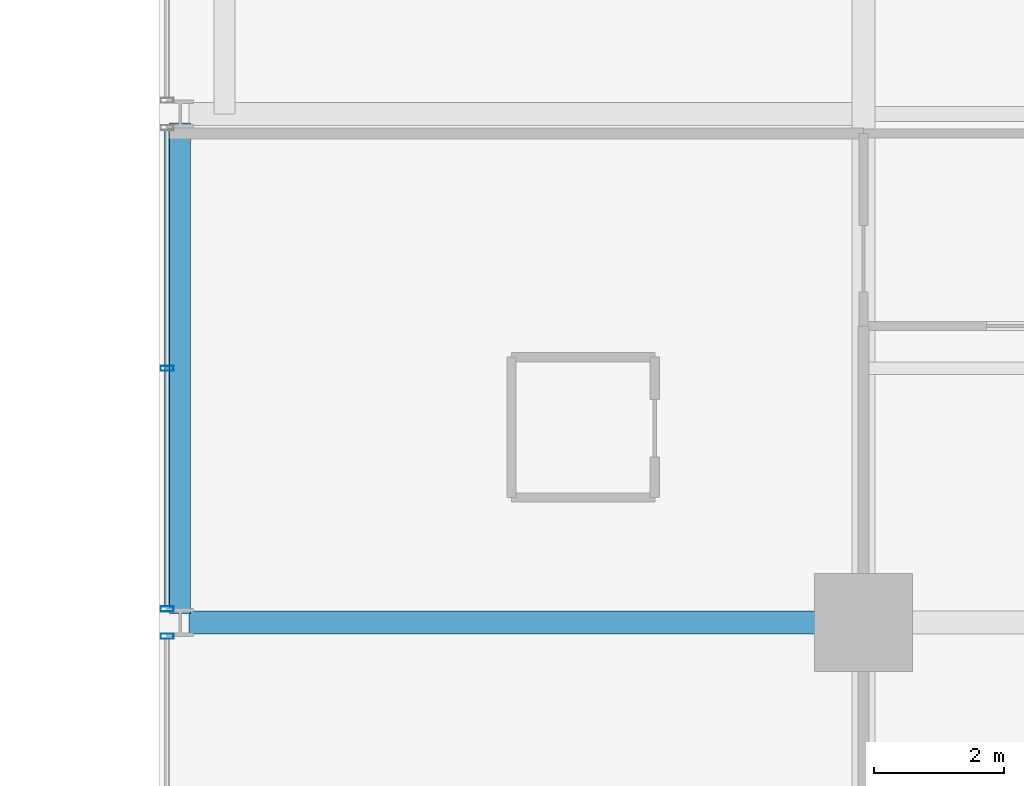
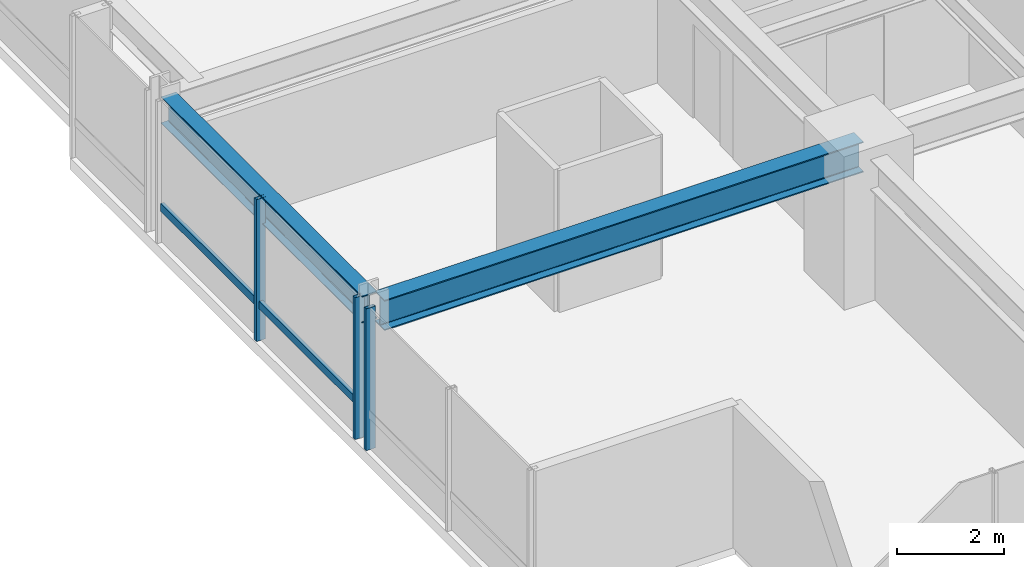
# One storey, part 4 of 35: 4 members, 2 beams, 2 elements without a shape of their own.
"""IFC4 building model written with IfcOpenShell, lengths in metres."""

from ifc_helpers import new_model, si_unit, direction, frame, origin, origin_2d, place, context, subcontext, project, spatial, hollow_rectangle, i_section, extrude, material, layer, layer_set, material_profile, profile_set, type_object, element, aggregate, save


model = new_model("IFC4")

# Units and contexts
model_context = context("Model", 3, precision=1e-05, world=origin(), true_north=direction((0.0, 1.0)))
body_context = subcontext(model_context, "Body", "Model", "MODEL_VIEW")
ifc_project = project(units=[si_unit("LENGTHUNIT", "METRE"), si_unit("AREAUNIT", "SQUARE_METRE"), si_unit("VOLUMEUNIT", "CUBIC_METRE"), si_unit("PLANEANGLEUNIT", "RADIAN"), si_unit("MASSUNIT", "GRAM", prefix="KILO")], contexts=[model_context])

# Site, building, storey
site_placement = place(None, origin())
site = spatial("IfcSite", under=ifc_project, at=site_placement, CompositionType="ELEMENT")
building_placement = place(site_placement, origin())
building = spatial("IfcBuilding", under=site, at=building_placement, Name="Drelvath Grand Hotel", CompositionType="ELEMENT")
storey_placement = place(building_placement, frame((0.0, 0.0, 123.300048828125)))
storey = spatial("IfcBuildingStorey", under=building, at=storey_placement, Name="L31", CompositionType="ELEMENT", Elevation=123.300048828125)

# Curtain wall, member
ifc_material_1 = material(Name="Champagne Bronze Anodised Aluminium Frame", Category="aluminium")
ifc_layer = layer(ifc_material_1, 0.199951171875)
ifc_layer_set = layer_set([ifc_layer], Name="Champagne Bronze Anodised Aluminium Frame")
curtain_wall_type = type_object("IfcCurtainWallType", Name="Stick Curtain Wall CW-03 Champagne Bronze Mid-Rise", PredefinedType="NOTDEFINED", material=ifc_layer_set)
curtain_wall_1_placement = place(storey_placement, origin())
curtain_wall_1 = element("IfcCurtainWall", 1, at=curtain_wall_1_placement, inside=storey, type_object=curtain_wall_type, Name="L31 CW-03 Curtain Wall CW03-L31-WS2", PredefinedType="NOTDEFINED")
ifc_material_profile_1 = material_profile(ifc_material_1, hollow_rectangle(XDim=0.074951171875, YDim=0.179931640625, WallThickness=0.0048828125, at=origin_2d()), Name="HSS180X75X5")
ifc_profile_set_1 = profile_set([ifc_material_profile_1], Name="Champagne Bronze Anodised Aluminium Frame")
member_type_1 = type_object("IfcMemberType", Name="Curtain Wall Horizontal Transom CW-03 HSS180X75X5", PredefinedType="USERDEFINED", material=ifc_profile_set_1)
member_1_placement = place(storey_placement, frame((-26.8798828125, 11.04931640625, 0.81005859375), z_axis=(0.0, 1.0, 0.0), x_axis=(-1.0, 0.0, 0.0)))
member_1 = element("IfcMember", 2, at=member_1_placement, type_object=member_type_1, Name="CW03-L31-WS2 Sill Transom", ObjectType="TRANSOM", PredefinedType="USERDEFINED", context=body_context, shape_type="SweptSolid", body=[
    extrude(hollow_rectangle(XDim=0.074951171875, YDim=0.179931640625, WallThickness=0.0048828125, at=origin_2d()), origin(), (0.0, 0.0, 1.0), 7.30126953125),
])

curtain_wall_2_placement = place(storey_placement, origin())
curtain_wall_2 = element("IfcCurtainWall", 3, at=curtain_wall_2_placement, inside=storey, type_object=curtain_wall_type, Name="L31 CW-03 Curtain Wall CW03-L31-WS1", PredefinedType="NOTDEFINED")
ifc_material_profile_2 = material_profile(ifc_material_1, hollow_rectangle(XDim=0.080078125, YDim=0.199951171875, WallThickness=0.0048828125, at=origin_2d()), Name="HSS200X80X5")
ifc_profile_set_2 = profile_set([ifc_material_profile_2], Name="Champagne Bronze Anodised Aluminium Frame")
member_type_2 = type_object("IfcMemberType", Name="Curtain Wall Vertical Mullion CW-03 HSS200X80X5", PredefinedType="MULLION", material=ifc_profile_set_2)
member_2_placement = place(storey_placement, frame((-26.8798828125, 10.590576171875, 0.0), z_axis=(0.0, 0.0, 1.0), x_axis=(0.0, 1.0, 0.0)))
member_2 = element("IfcMember", 4, at=member_2_placement, type_object=member_type_2, Name="CW03-L31-WS1 Mullion 3", PredefinedType="MULLION", context=body_context, shape_type="SweptSolid", body=[
    extrude(hollow_rectangle(XDim=0.080078125, YDim=0.199951171875, WallThickness=0.0048828125, at=origin_2d()), origin(), (0.0, 0.0, 1.0), 3.239990234375),
])
aggregate(curtain_wall_2, [member_2])

# Member
member_3_placement = place(storey_placement, frame((-26.8798828125, 11.009521484375, 0.0), z_axis=(0.0, 0.0, 1.0), x_axis=(0.0, 1.0, 0.0)))
member_3 = element("IfcMember", 5, at=member_3_placement, type_object=member_type_2, Name="CW03-L31-WS2 Mullion 1", PredefinedType="MULLION", context=body_context, shape_type="SweptSolid", body=[
    extrude(hollow_rectangle(XDim=0.080078125, YDim=0.199951171875, WallThickness=0.0048828125, at=origin_2d()), origin(), (0.0, 0.0, 1.0), 3.239990234375),
])

member_4_placement = place(storey_placement, frame((-26.8798828125, 14.699951171875, 0.0), z_axis=(0.0, 0.0, 1.0), x_axis=(0.0, 1.0, 0.0)))
member_4 = element("IfcMember", 6, at=member_4_placement, type_object=member_type_2, Name="CW03-L31-WS2 Mullion 2", PredefinedType="MULLION", context=body_context, shape_type="SweptSolid", body=[
    extrude(hollow_rectangle(XDim=0.080078125, YDim=0.199951171875, WallThickness=0.0048828125, at=origin_2d()), origin(), (0.0, 0.0, 1.0), 3.239990234375),
])

aggregate(curtain_wall_1, [member_3, member_4, member_1])

# Beams
ifc_material_2 = material(Name="Steel ASTM A992 Gr 50", Category="steel")
ifc_material_profile_3 = material_profile(ifc_material_2, i_section(OverallWidth=0.323974609375, OverallDepth=0.611083984375, WebThickness=0.0126953125, FlangeThickness=0.01904296875, FilletRadius=0.02197265625, at=origin_2d()), Name="W24X104")
ifc_profile_set_3 = profile_set([ifc_material_profile_3], Name="Steel ASTM A992 Gr 50")
beam_type_1 = type_object("IfcBeamType", Name="Perimeter Spandrel Beam W24X104", PredefinedType="SPANDREL", material=ifc_profile_set_3)
beam_1_placement = place(storey_placement, frame((-26.679931640625, 10.93994140625, 2.9345703125), z_axis=(0.0, 1.0, 0.0), x_axis=(-1.0, 0.0, 0.0)))
element("IfcBeam", 7, at=beam_1_placement, inside=storey, type_object=beam_type_1, Name="L31 Spandrel West S", PredefinedType="SPANDREL", context=body_context, shape_type="SweptSolid", body=[
    extrude(i_section(OverallWidth=0.323974609375, OverallDepth=0.611083984375, WebThickness=0.0126953125, FlangeThickness=0.01904296875, FilletRadius=0.02197265625, at=origin_2d()), origin(), (0.0, 0.0, 1.0), 7.52001953125),
])
ifc_material_profile_4 = material_profile(ifc_material_2, i_section(OverallWidth=0.354736328125, OverallDepth=0.695556640625, WebThickness=0.015380859375, FlangeThickness=0.025146484375, FilletRadius=0.02392578125, at=origin_2d()), Name="W27X146")
ifc_profile_set_4 = profile_set([ifc_material_profile_4], Name="Steel ASTM A992 Gr 50")
beam_type_2 = type_object("IfcBeamType", Name="Primary Floor Girder W27X146", PredefinedType="BEAM", material=ifc_profile_set_4)
beam_2_placement = place(storey_placement, frame((-26.5400390625, 10.800048828125, 2.892333984375), z_axis=(1.0, 0.0, 0.0), x_axis=(0.0, 1.0, 0.0)))
element("IfcBeam", 8, at=beam_2_placement, inside=storey, type_object=beam_type_2, Name="L31 West Grid Girder C", PredefinedType="BEAM", context=body_context, shape_type="SweptSolid", body=[
    extrude(i_section(OverallWidth=0.354736328125, OverallDepth=0.695556640625, WebThickness=0.015380859375, FlangeThickness=0.025146484375, FilletRadius=0.02392578125, at=origin_2d()), origin(), (0.0, 0.0, 1.0), 10.340087890625),
])

save(model, "model.ifc")
